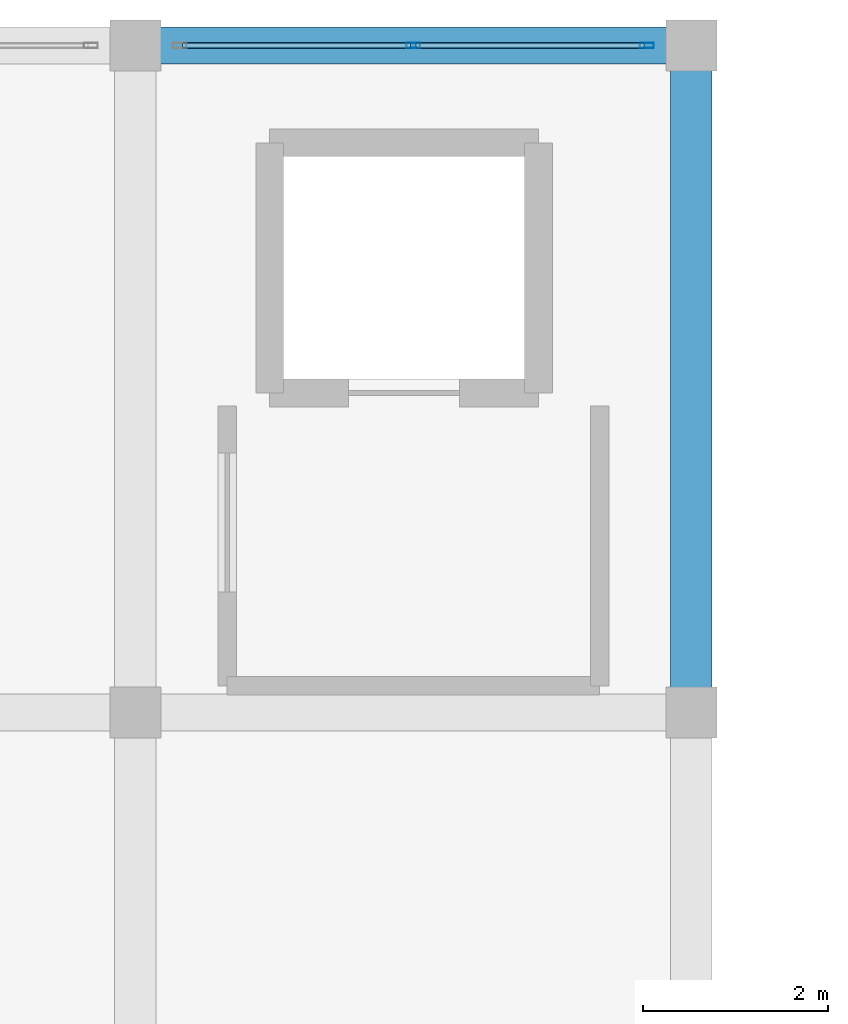
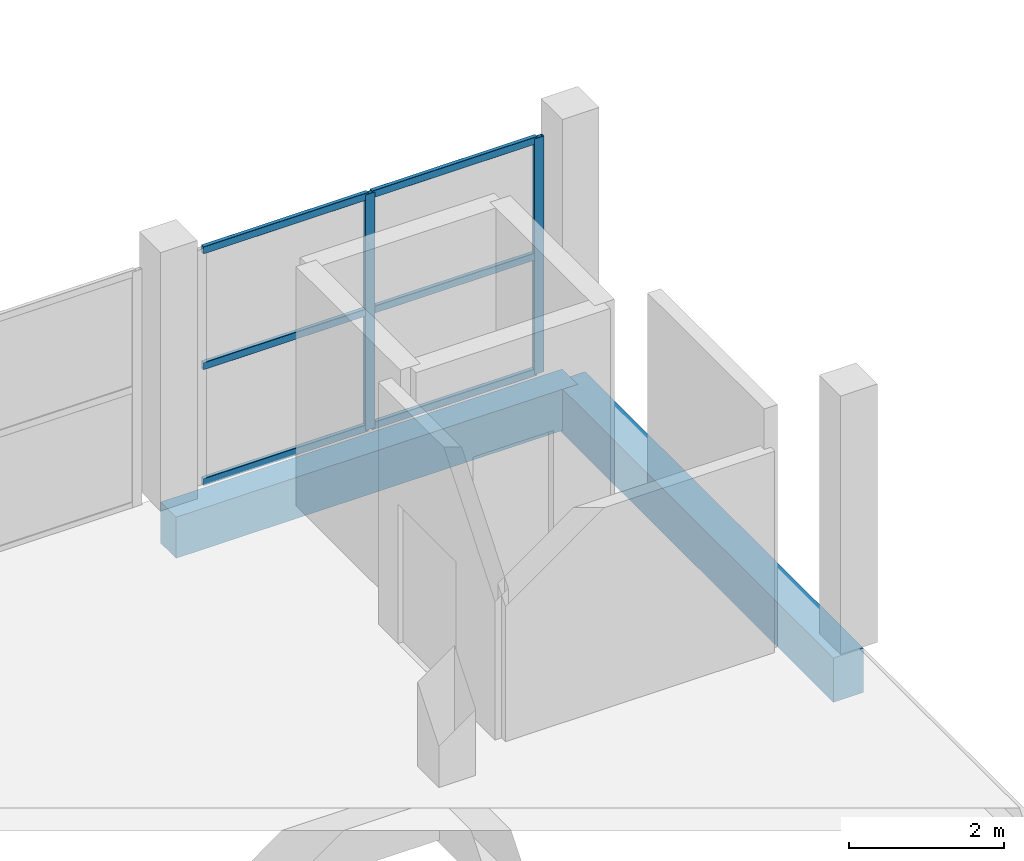
# One storey, part 56 of 127: 8 members, 2 beams, 1 element without a shape of its own.
"""IFC4 building model written with IfcOpenShell, lengths in metres."""

from ifc_helpers import new_model, si_unit, direction, frame, origin, origin_2d, place, context, subcontext, project, spatial, rectangle, hollow_rectangle, extrude, material, layer, layer_set, material_profile, profile_set, type_object, element, aggregate, save


model = new_model("IFC4")

# Units and contexts
model_context = context("Model", 3, precision=1e-05, world=origin(), true_north=direction((0.0, 1.0)))
body_context = subcontext(model_context, "Body", "Model", "MODEL_VIEW")
ifc_project = project(units=[si_unit("LENGTHUNIT", "METRE"), si_unit("AREAUNIT", "SQUARE_METRE"), si_unit("VOLUMEUNIT", "CUBIC_METRE"), si_unit("PLANEANGLEUNIT", "RADIAN"), si_unit("MASSUNIT", "GRAM", prefix="KILO")], contexts=[model_context])

# Site, building, storey
site_placement = place(None, origin())
site = spatial("IfcSite", under=ifc_project, at=site_placement, CompositionType="ELEMENT")
building_placement = place(site_placement, origin())
building = spatial("IfcBuilding", under=site, at=building_placement, Name="Dunvalen Ferry Terminal", CompositionType="ELEMENT")
storey_placement = place(building_placement, frame((0.0, 0.0, 5.760009765625)))
storey = spatial("IfcBuildingStorey", under=building, at=storey_placement, Name="L01", CompositionType="ELEMENT", Elevation=5.760009765625)

# Curtain wall, members
ifc_material_1 = material(Name="Anodised marine aluminium and solar-control glazing", Category="aluminium")
ifc_layer = layer(ifc_material_1, 0.159912109375, Name="Anodised marine aluminium and solar-control glazing")
ifc_layer_set = layer_set([ifc_layer], Name="Anodised marine aluminium and solar-control glazing")
curtain_wall_type = type_object("IfcCurtainWallType", Name="ENV-CW-SYS-08", PredefinedType="NOTDEFINED", material=ifc_layer_set)
curtain_wall_placement = place(storey_placement, origin())
curtain_wall = element("IfcCurtainWall", 1, at=curtain_wall_placement, inside=storey, type_object=curtain_wall_type, Name="L01 Curtain Wall CW-BRT1-N-L01-4", PredefinedType="NOTDEFINED")
ifc_material_2 = material(Name="Anodised marine aluminium EN AW-6063 T6", Category="aluminium")
ifc_material_profile_1 = material_profile(ifc_material_2, hollow_rectangle(XDim=0.06005859375, YDim=0.14990234375, WallThickness=0.00341796875, InnerFilletRadius=0.00341796875, OuterFilletRadius=0.007080078125, at=origin_2d()), Name="Anodised marine aluminium EN AW-6063 T6")
ifc_profile_set_1 = profile_set([ifc_material_profile_1], Name="Anodised marine aluminium EN AW-6063 T6")
member_type_1 = type_object("IfcMemberType", Name="ENV-CW-MUL-3", PredefinedType="MULLION", material=ifc_profile_set_1)
member_1_placement = place(storey_placement, frame((45.0, 115.199951171875, 0.0), z_axis=(0.0, 0.0, 1.0), x_axis=(0.0, 1.0, 0.0)))
member_1 = element("IfcMember", 2, at=member_1_placement, type_object=member_type_1, Name="CW-08 mullion 2", PredefinedType="MULLION", context=body_context, shape_type="SweptSolid", body=[
    extrude(hollow_rectangle(XDim=0.06005859375, YDim=0.14990234375, WallThickness=0.00341796875, InnerFilletRadius=0.00341796875, OuterFilletRadius=0.007080078125, at=origin_2d()), origin(), (0.0, 0.0, 1.0), 3.719970703125),
])
member_2_placement = place(storey_placement, frame((47.52001953125, 115.199951171875, 0.0), z_axis=(0.0, 0.0, 1.0), x_axis=(0.0, 1.0, 0.0)))
member_2 = element("IfcMember", 3, at=member_2_placement, type_object=member_type_1, Name="CW-08 mullion 3", PredefinedType="MULLION", context=body_context, shape_type="SweptSolid", body=[
    extrude(hollow_rectangle(XDim=0.06005859375, YDim=0.14990234375, WallThickness=0.00341796875, InnerFilletRadius=0.00341796875, OuterFilletRadius=0.007080078125, at=origin_2d()), origin(), (0.0, 0.0, 1.0), 3.719970703125),
])
ifc_material_profile_2 = material_profile(ifc_material_2, hollow_rectangle(XDim=0.06005859375, YDim=0.114990234375, WallThickness=0.0029296875, InnerFilletRadius=0.0029296875, OuterFilletRadius=0.006103515625, at=origin_2d()), Name="Anodised marine aluminium EN AW-6063 T6")
ifc_profile_set_2 = profile_set([ifc_material_profile_2], Name="Anodised marine aluminium EN AW-6063 T6")
member_type_2 = type_object("IfcMemberType", Name="ENV-CW-TRN-3", PredefinedType="USERDEFINED", material=ifc_profile_set_2)
member_3_placement = place(storey_placement, frame((42.510009765625, 115.199951171875, 0.030029296875), z_axis=(1.0, 0.0, 0.0), x_axis=(0.0, 1.0, 0.0)))
member_3 = element("IfcMember", 4, at=member_3_placement, type_object=member_type_2, Name="CW-08 transom 1.1", ObjectType="TRANSOM", PredefinedType="USERDEFINED", context=body_context, shape_type="SweptSolid", body=[
    extrude(hollow_rectangle(XDim=0.06005859375, YDim=0.114990234375, WallThickness=0.0029296875, InnerFilletRadius=0.0029296875, OuterFilletRadius=0.006103515625, at=origin_2d()), origin(), (0.0, 0.0, 1.0), 2.4599609375),
])
member_4_placement = place(storey_placement, frame((42.510009765625, 115.199951171875, 1.860107421875), z_axis=(1.0, 0.0, 0.0), x_axis=(0.0, 1.0, 0.0)))
member_4 = element("IfcMember", 5, at=member_4_placement, type_object=member_type_2, Name="CW-08 transom 1.2", ObjectType="TRANSOM", PredefinedType="USERDEFINED", context=body_context, shape_type="SweptSolid", body=[
    extrude(hollow_rectangle(XDim=0.06005859375, YDim=0.114990234375, WallThickness=0.0029296875, InnerFilletRadius=0.0029296875, OuterFilletRadius=0.006103515625, at=origin_2d()), origin(), (0.0, 0.0, 1.0), 2.4599609375),
])
member_5_placement = place(storey_placement, frame((42.510009765625, 115.199951171875, 3.68994140625), z_axis=(1.0, 0.0, 0.0), x_axis=(0.0, 1.0, 0.0)))
member_5 = element("IfcMember", 6, at=member_5_placement, type_object=member_type_2, Name="CW-08 transom 1.3", ObjectType="TRANSOM", PredefinedType="USERDEFINED", context=body_context, shape_type="SweptSolid", body=[
    extrude(hollow_rectangle(XDim=0.06005859375, YDim=0.114990234375, WallThickness=0.0029296875, InnerFilletRadius=0.0029296875, OuterFilletRadius=0.006103515625, at=origin_2d()), origin(), (0.0, 0.0, 1.0), 2.4599609375),
])
member_6_placement = place(storey_placement, frame((45.030029296875, 115.199951171875, 0.030029296875), z_axis=(1.0, 0.0, 0.0), x_axis=(0.0, 1.0, 0.0)))
member_6 = element("IfcMember", 7, at=member_6_placement, type_object=member_type_2, Name="CW-08 transom 2.1", ObjectType="TRANSOM", PredefinedType="USERDEFINED", context=body_context, shape_type="SweptSolid", body=[
    extrude(hollow_rectangle(XDim=0.06005859375, YDim=0.114990234375, WallThickness=0.0029296875, InnerFilletRadius=0.0029296875, OuterFilletRadius=0.006103515625, at=origin_2d()), origin(), (0.0, 0.0, 1.0), 2.4599609375),
])
member_7_placement = place(storey_placement, frame((45.030029296875, 115.199951171875, 1.860107421875), z_axis=(1.0, 0.0, 0.0), x_axis=(0.0, 1.0, 0.0)))
member_7 = element("IfcMember", 8, at=member_7_placement, type_object=member_type_2, Name="CW-08 transom 2.2", ObjectType="TRANSOM", PredefinedType="USERDEFINED", context=body_context, shape_type="SweptSolid", body=[
    extrude(hollow_rectangle(XDim=0.06005859375, YDim=0.114990234375, WallThickness=0.0029296875, InnerFilletRadius=0.0029296875, OuterFilletRadius=0.006103515625, at=origin_2d()), origin(), (0.0, 0.0, 1.0), 2.4599609375),
])
member_8_placement = place(storey_placement, frame((45.030029296875, 115.199951171875, 3.68994140625), z_axis=(1.0, 0.0, 0.0), x_axis=(0.0, 1.0, 0.0)))
member_8 = element("IfcMember", 9, at=member_8_placement, type_object=member_type_2, Name="CW-08 transom 2.3", ObjectType="TRANSOM", PredefinedType="USERDEFINED", context=body_context, shape_type="SweptSolid", body=[
    extrude(hollow_rectangle(XDim=0.06005859375, YDim=0.114990234375, WallThickness=0.0029296875, InnerFilletRadius=0.0029296875, OuterFilletRadius=0.006103515625, at=origin_2d()), origin(), (0.0, 0.0, 1.0), 2.4599609375),
])
aggregate(curtain_wall, [member_1, member_2, member_3, member_4, member_5, member_6, member_7, member_8])

# Beams
ifc_material_3 = material(Name="Concrete C40/50", Category="concrete")
ifc_material_profile_3 = material_profile(ifc_material_3, rectangle(XDim=0.39990234375, YDim=0.64990234375, at=origin_2d()), Name="Concrete C40/50")
ifc_profile_set_3 = profile_set([ifc_material_profile_3], Name="Concrete C40/50")
beam_type_1 = type_object("IfcBeamType", Name="STR-BM-RCB650", PredefinedType="BEAM", material=ifc_profile_set_3)
beam_1_placement = place(storey_placement, frame((42.0, 115.199951171875, -0.56494140625), z_axis=(1.0, 0.0, 0.0), x_axis=(0.0, 1.0, 0.0)))
element("IfcBeam", 10, at=beam_1_placement, inside=storey, type_object=beam_type_1, Name="L01 V3B1 Primary Beam X-012", PredefinedType="BEAM", context=body_context, shape_type="SweptSolid", body=[
    extrude(rectangle(XDim=0.39990234375, YDim=0.64990234375, at=origin_2d()), origin(), (0.0, 0.0, 1.0), 6.0),
])
ifc_material_profile_4 = material_profile(ifc_material_3, rectangle(XDim=0.449951171875, YDim=0.699951171875, at=origin_2d()), Name="Concrete C40/50")
ifc_profile_set_4 = profile_set([ifc_material_profile_4], Name="Concrete C40/50")
beam_type_2 = type_object("IfcBeamType", Name="STR-BM-RCB700", PredefinedType="BEAM", material=ifc_profile_set_4)
beam_2_placement = place(storey_placement, frame((48.0, 108.0, -0.590087890625), z_axis=(0.0, 1.0, 0.0), x_axis=(-1.0, 0.0, 0.0)))
element("IfcBeam", 11, at=beam_2_placement, inside=storey, type_object=beam_type_2, Name="L01 V3B1 Primary Girder Y-021", PredefinedType="BEAM", context=body_context, shape_type="SweptSolid", body=[
    extrude(rectangle(XDim=0.449951171875, YDim=0.699951171875, at=origin_2d()), origin(), (0.0, 0.0, 1.0), 7.199951171875),
])

save(model, "model.ifc")
